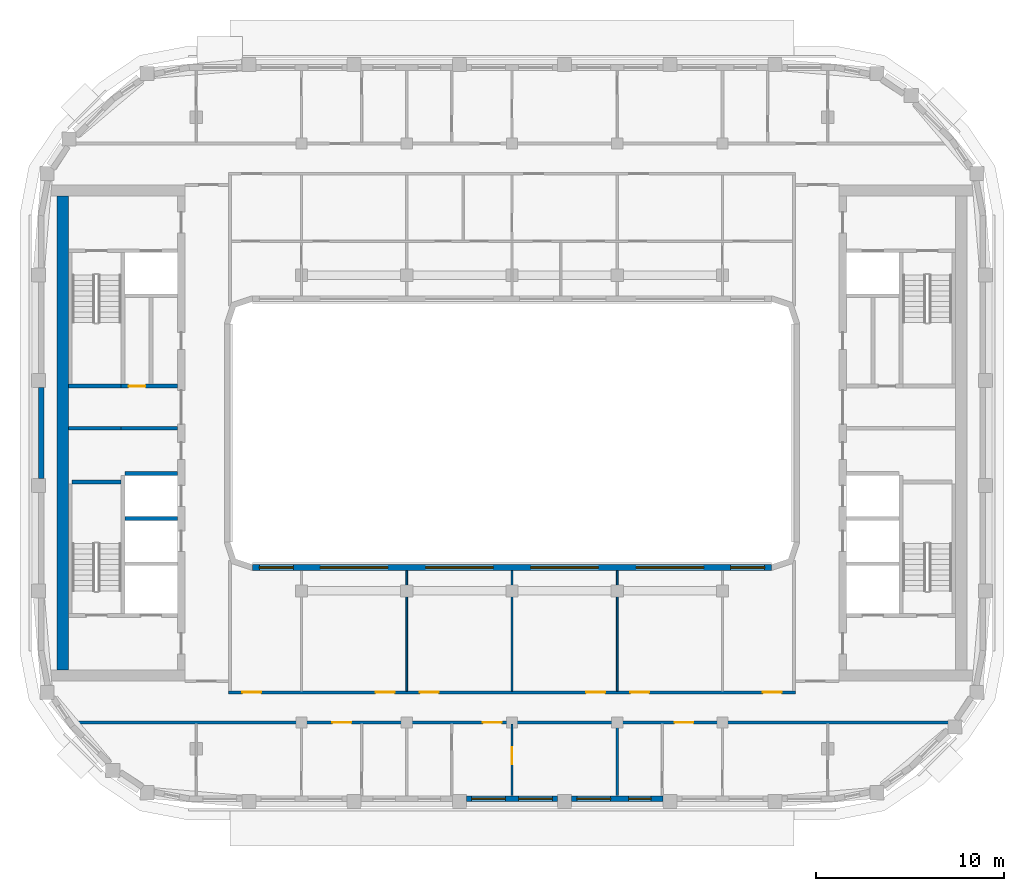
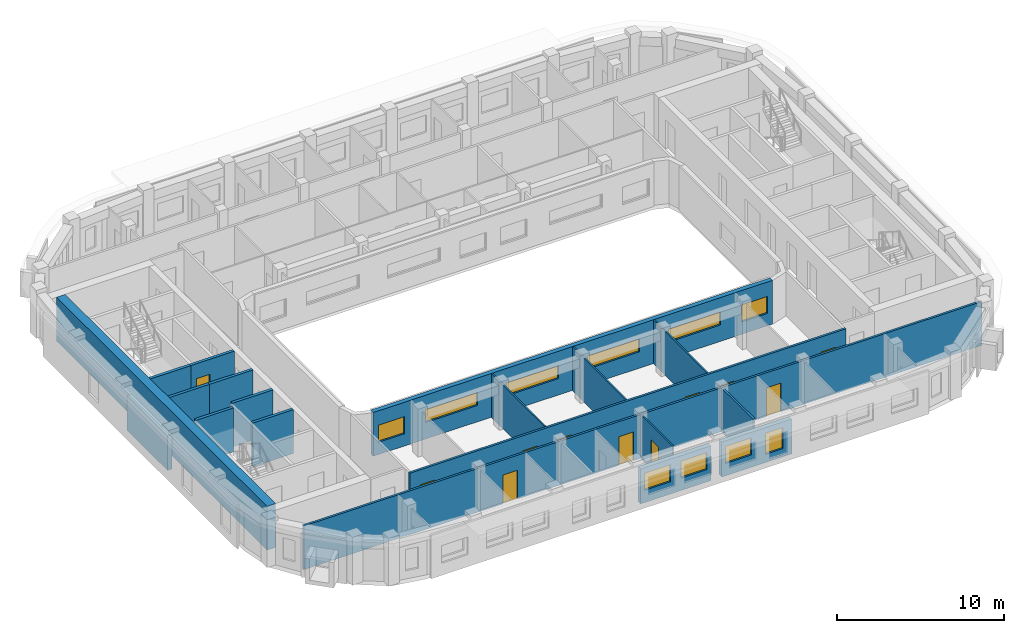
# One storey, part 3 of 16: 19 walls, 11 doors, 10 windows, 21 openings.
"""IFC4 building model written with IfcOpenShell, lengths in metres."""

from ifc_helpers import new_model, si_unit, direction, frame, frame_2d, origin, place, context, subcontext, project, spatial, rectangle, extrude, material, layer, layer_set, type_object, element, fill, save


model = new_model("IFC4")

# Units and contexts
model_context = context("Model", 3, precision=1e-05, world=origin(), true_north=direction((0.0, 1.0)))
body_context = subcontext(model_context, "Body", "Model", "MODEL_VIEW")
ifc_project = project(units=[si_unit("LENGTHUNIT", "METRE"), si_unit("AREAUNIT", "SQUARE_METRE"), si_unit("VOLUMEUNIT", "CUBIC_METRE"), si_unit("PLANEANGLEUNIT", "RADIAN"), si_unit("MASSUNIT", "GRAM", prefix="KILO")], contexts=[model_context])

# Site, building, storey
site_placement = place(None, origin())
site = spatial("IfcSite", under=ifc_project, at=site_placement, CompositionType="ELEMENT")
building_placement = place(site_placement, origin())
building = spatial("IfcBuilding", under=site, at=building_placement, Name="Kiln Ring Residences", CompositionType="ELEMENT")
storey_placement = place(building_placement, frame((0.0, 0.0, 276.699951171875)))
storey = spatial("IfcBuildingStorey", under=building, at=storey_placement, Name="L72", CompositionType="ELEMENT", Elevation=276.699951171875)

# Walls
ifc_material_1 = material(Name="Gypsum board on steel studs", Category="steel")
ifc_layer_1 = layer(ifc_material_1, 0.199951171875)
ifc_layer_set_1 = layer_set([ifc_layer_1], Name="CORE-PARTITION-200")
wall_type_1 = type_object("IfcWallType", Name="CORE-PARTITION-200", PredefinedType="PARTITIONING", material=ifc_layer_set_1)
wall_1_placement = place(storey_placement, frame((-20.800048828125, 0.25, 0.0), z_axis=(0.0, 0.0, 1.0), x_axis=(-1.0, 0.0, 0.0)))
element("IfcWall", 1, at=wall_1_placement, inside=storey, type_object=wall_type_1, Name="Core partition west L72 1", PredefinedType="PARTITIONING", context=body_context, shape_type="SweptSolid", body=[
    extrude(rectangle(XDim=2.800048828125, YDim=0.199951171875, at=frame_2d((1.39990234375, 0.0))), origin(), (0.0, 0.0, 1.0), 3.199951171875),
])
ifc_material_2 = material(Name="Gypsum shaft wall system")
ifc_layer_2 = layer(ifc_material_2, 0.199951171875)
ifc_layer_set_2 = layer_set([ifc_layer_2], Name="CORE-SHAFT-WALL-200")
wall_type_2 = type_object("IfcWallType", Name="CORE-SHAFT-WALL-200", PredefinedType="PARTITIONING", material=ifc_layer_set_2)
for number, where, z_axis, x_axis, name in (
    (2, (-17.800048828125, -4.550048828125, 0.0), (0.0, 0.0, 1.0), (-1.0, 0.0, 0.0), "Core partition west L72 4"),
    (3, (-17.800048828125, -2.14990234375, 0.0), (0.0, 0.0, 1.0), (-1.0, 0.0, 0.0), "Core partition west L72 5"),
):
    element("IfcWall", number, at=place(storey_placement, frame(where, z_axis=z_axis, x_axis=x_axis)), inside=storey, type_object=wall_type_2, Name=name, PredefinedType="PARTITIONING", context=body_context, shape_type="SweptSolid", body=[
        extrude(rectangle(XDim=2.800048828125, YDim=0.199951171875, at=frame_2d((1.39990234375, 0.0))), origin(), (0.0, 0.0, 1.0), 3.199951171875),
    ])
wall_2_placement = place(storey_placement, frame((-17.800048828125, 0.25, 0.0), z_axis=(0.0, 0.0, 1.0), x_axis=(-1.0, 0.0, 0.0)))
element("IfcWall", 4, at=wall_2_placement, inside=storey, type_object=wall_type_2, Name="Core partition west L72 6", PredefinedType="PARTITIONING", context=body_context, shape_type="SweptSolid", body=[
    extrude(rectangle(XDim=3.0, YDim=0.199951171875, at=frame_2d((1.5, 0.0))), origin(), (0.0, 0.0, 1.0), 3.199951171875),
])

# Wall, opening, door
wall_3_placement = place(storey_placement, frame((-17.800048828125, 2.5, 0.0), z_axis=(0.0, 0.0, 1.0), x_axis=(-1.0, 0.0, 0.0)))
wall_3 = element("IfcWall", 5, at=wall_3_placement, inside=storey, type_object=wall_type_2, Name="Core partition west L72 7", PredefinedType="PARTITIONING", context=body_context, shape_type="SweptSolid", body=[
    extrude(rectangle(XDim=3.0, YDim=0.199951171875, at=frame_2d((1.5, 0.0))), origin(), (0.0, 0.0, 1.0), 3.199951171875),
])
opening_1_placement = place(wall_3_placement, frame((1.699951171875, 0.0, 0.0)))
opening_1 = element("IfcOpeningElement", 6, at=opening_1_placement, cuts=wall_3, Name="Opening L72-CW06", PredefinedType="OPENING", context=body_context, shape_type="SweptSolid", body=[
    extrude(rectangle(XDim=0.89990234375, YDim=2.10009765625, at=frame_2d((0.449951171875, 1.050048828125))), frame((0.0, 0.10986328125, 0.0), z_axis=(0.0, -1.0, 0.0), x_axis=(1.0, 0.0, 0.0)), (0.0, 0.0, 1.0), 0.219970703125),
])
ifc_material_3 = material(Name="Steel door leaf", Category="steel")
door_type_1 = type_object("IfcDoorType", Name="CORE-DOOR-ROOM", OperationType="SINGLE_SWING_LEFT", PredefinedType="DOOR", material=ifc_material_3)
door_1_placement = place(opening_1_placement, origin())
door_1 = element("IfcDoor", 7, at=door_1_placement, inside=storey, type_object=door_type_1, Name="Linen store L72-CW06", OperationType="SINGLE_SWING_LEFT", OverallHeight=2.10009765625, OverallWidth=0.89990234375, PredefinedType="DOOR", context=body_context, shape_type="SweptSolid", body=[
    extrude(rectangle(XDim=0.89990234375, YDim=2.10009765625, at=frame_2d((0.449951171875, 1.050048828125))), frame((0.0, 0.02490234375, 0.0), z_axis=(0.0, -1.0, 0.0), x_axis=(1.0, 0.0, 0.0)), (0.0, 0.0, 1.0), 0.050048828125),
])
fill(opening_1, door_1)

# Walls
ifc_material_4 = material(Name="Concrete C40/50", Category="concrete")
ifc_layer_3 = layer(ifc_material_4, 0.199951171875)
ifc_layer_set_3 = layer_set([ifc_layer_3], Name="CORE-WALL-RC200")
wall_type_3 = type_object("IfcWallType", Name="CORE-WALL-RC200", PredefinedType="SHEAR", material=ifc_layer_set_3)
wall_4_placement = place(storey_placement, frame((-20.800048828125, 2.5, 0.0), z_axis=(0.0, 0.0, 1.0), x_axis=(-1.0, 0.0, 0.0)))
element("IfcWall", 8, at=wall_4_placement, inside=storey, type_object=wall_type_3, Name="Core wall west L72 3", PredefinedType="SHEAR", context=body_context, shape_type="SweptSolid", body=[
    extrude(rectangle(XDim=2.800048828125, YDim=0.199951171875, at=frame_2d((1.39990234375, 0.0))), origin(), (0.0, 0.0, 1.0), 3.199951171875),
])
wall_5_placement = place(storey_placement, frame((-20.800048828125, -2.60009765625, 0.0), z_axis=(0.0, 0.0, 1.0), x_axis=(-1.0, 0.0, 0.0)))
element("IfcWall", 9, at=wall_5_placement, inside=storey, type_object=wall_type_3, Name="Core wall west L72 12", PredefinedType="SHEAR", context=body_context, shape_type="SweptSolid", body=[
    extrude(rectangle(XDim=2.599853515625, YDim=0.199951171875, at=frame_2d((1.2998046875, 0.0))), origin(), (0.0, 0.0, 1.0), 3.199951171875),
])
ifc_material_5 = material(Name="Concrete C60/75", Category="concrete")
ifc_layer_4 = layer(ifc_material_5, 0.60009765625)
ifc_layer_set_4 = layer_set([ifc_layer_4], Name="CORE-WALL-RC600")
wall_type_4 = type_object("IfcWallType", Name="CORE-WALL-RC600", PredefinedType="SHEAR", material=ifc_layer_set_4)
wall_6_placement = place(storey_placement, frame((-23.89990234375, -12.60009765625, 0.0), z_axis=(0.0, 0.0, 1.0), x_axis=(0.0, 1.0, 0.0)))
element("IfcWall", 10, at=wall_6_placement, inside=storey, type_object=wall_type_4, Name="Core wall west L72 7", PredefinedType="SHEAR", context=body_context, shape_type="SweptSolid", body=[
    extrude(rectangle(XDim=25.2001953125, YDim=0.60009765625, at=frame_2d((12.60009765625, 0.0))), origin(), (0.0, 0.0, 1.0), 3.199951171875),
])

# Wall, openings, windows
ifc_material_6 = material(Name="Brick masonry, dark clay brick", Category="masonry")
ifc_layer_5 = layer(ifc_material_6, 0.300048828125)
ifc_layer_set_5 = layer_set([ifc_layer_5], Name="EW-300 BRICK WALL")
wall_type_5 = type_object("IfcWallType", Name="EW-300 BRICK WALL", PredefinedType="SOLIDWALL", material=ifc_layer_set_5)
wall_7_placement = place(storey_placement, frame((-2.425048828125, -19.449951171875, 0.0), z_axis=(0.0, 0.0, 1.0), x_axis=(1.0, 0.0, 0.0)))
wall_7 = element("IfcWall", 11, at=wall_7_placement, inside=storey, type_object=wall_type_5, Name="Facade wall L72 7", PredefinedType="SOLIDWALL", context=body_context, shape_type="SweptSolid", body=[
    extrude(rectangle(XDim=4.85009765625, YDim=0.300048828125, at=frame_2d((2.425048828125, 0.0))), origin(), (0.0, 0.0, 1.0), 2.550048828125),
])
opening_2_placement = place(wall_7_placement, frame((0.27490234375, 0.0, 0.89990234375)))
opening_2 = element("IfcOpeningElement", 12, at=opening_2_placement, cuts=wall_7, Name="Opening W2", PredefinedType="OPENING", context=body_context, shape_type="SweptSolid", body=[
    extrude(rectangle(XDim=1.800048828125, YDim=1.25, at=frame_2d((0.89990234375, 0.625))), frame((0.0, 0.159912109375, 0.0), z_axis=(0.0, -1.0, 0.0), x_axis=(1.0, 0.0, 0.0)), (0.0, 0.0, 1.0), 0.320068359375),
])
opening_3_placement = place(wall_7_placement, frame((2.77490234375, 0.0, 0.89990234375)))
opening_3 = element("IfcOpeningElement", 13, at=opening_3_placement, cuts=wall_7, Name="Opening W2", PredefinedType="OPENING", context=body_context, shape_type="SweptSolid", body=[
    extrude(rectangle(XDim=1.800048828125, YDim=1.25, at=frame_2d((0.89990234375, 0.625))), frame((0.0, 0.159912109375, 0.0), z_axis=(0.0, -1.0, 0.0), x_axis=(1.0, 0.0, 0.0)), (0.0, 0.0, 1.0), 0.320068359375),
])
ifc_material_7 = material(Name="Aluminium frame with double glazing", Category="aluminium")
window_type_1 = type_object("IfcWindowType", Name="WINDOW 1800 x 1250", PartitioningType="SINGLE_PANEL", PredefinedType="WINDOW", material=ifc_material_7)
window_1_placement = place(opening_2_placement, origin())
window_1 = element("IfcWindow", 14, at=window_1_placement, inside=storey, type_object=window_type_1, Name="Window L72 8", OverallHeight=1.25, OverallWidth=1.800048828125, PartitioningType="SINGLE_PANEL", PredefinedType="WINDOW", context=body_context, shape_type="SweptSolid", body=[
    extrude(rectangle(XDim=1.800048828125, YDim=1.25, at=frame_2d((0.89990234375, 0.625))), frame((0.0, 0.030029296875, 0.0), z_axis=(0.0, -1.0, 0.0), x_axis=(1.0, 0.0, 0.0)), (0.0, 0.0, 1.0), 0.06005859375),
])
fill(opening_2, window_1)
window_2_placement = place(opening_3_placement, origin())
window_2 = element("IfcWindow", 15, at=window_2_placement, inside=storey, type_object=window_type_1, Name="Window L72 9", OverallHeight=1.25, OverallWidth=1.800048828125, PartitioningType="SINGLE_PANEL", PredefinedType="WINDOW", context=body_context, shape_type="SweptSolid", body=[
    extrude(rectangle(XDim=1.800048828125, YDim=1.25, at=frame_2d((0.89990234375, 0.625))), frame((0.0, 0.030029296875, 0.0), z_axis=(0.0, -1.0, 0.0), x_axis=(1.0, 0.0, 0.0)), (0.0, 0.0, 1.0), 0.06005859375),
])
fill(opening_3, window_2)

wall_8_placement = place(storey_placement, frame((3.175048828125, -19.449951171875, 0.0), z_axis=(0.0, 0.0, 1.0), x_axis=(1.0, 0.0, 0.0)))
wall_8 = element("IfcWall", 16, at=wall_8_placement, inside=storey, type_object=wall_type_5, Name="Facade wall L72 8", PredefinedType="SOLIDWALL", context=body_context, shape_type="SweptSolid", body=[
    extrude(rectangle(XDim=4.849853515625, YDim=0.300048828125, at=frame_2d((2.4248046875, 0.0))), origin(), (0.0, 0.0, 1.0), 2.550048828125),
])
opening_4_placement = place(wall_8_placement, frame((0.27490234375, 0.0, 0.89990234375)))
opening_4 = element("IfcOpeningElement", 17, at=opening_4_placement, cuts=wall_8, Name="Opening W2", PredefinedType="OPENING", context=body_context, shape_type="SweptSolid", body=[
    extrude(rectangle(XDim=1.800048828125, YDim=1.25, at=frame_2d((0.89990234375, 0.625))), frame((0.0, 0.159912109375, 0.0), z_axis=(0.0, -1.0, 0.0), x_axis=(1.0, 0.0, 0.0)), (0.0, 0.0, 1.0), 0.320068359375),
])
opening_5_placement = place(wall_8_placement, frame((3.02490234375, 0.0, 0.60009765625)))
opening_5 = element("IfcOpeningElement", 18, at=opening_5_placement, cuts=wall_8, Name="Opening W1", PredefinedType="OPENING", context=body_context, shape_type="SweptSolid", body=[
    extrude(rectangle(XDim=1.199951171875, YDim=1.550048828125, at=frame_2d((0.60009765625, 0.77490234375))), frame((0.0, 0.159912109375, 0.0), z_axis=(0.0, -1.0, 0.0), x_axis=(1.0, 0.0, 0.0)), (0.0, 0.0, 1.0), 0.320068359375),
])
ifc_material_8 = material(Name="Aluminium frame with double glazing", Category="aluminium")
window_type_2 = type_object("IfcWindowType", Name="WINDOW 1200 x 1550", PartitioningType="SINGLE_PANEL", PredefinedType="WINDOW", material=ifc_material_8)
window_3_placement = place(opening_5_placement, origin())
window_3 = element("IfcWindow", 19, at=window_3_placement, inside=storey, type_object=window_type_2, Name="Window L72 11", OverallHeight=1.550048828125, OverallWidth=1.199951171875, PartitioningType="SINGLE_PANEL", PredefinedType="WINDOW", context=body_context, shape_type="SweptSolid", body=[
    extrude(rectangle(XDim=1.199951171875, YDim=1.550048828125, at=frame_2d((0.60009765625, 0.77490234375))), frame((0.0, 0.030029296875, 0.0), z_axis=(0.0, -1.0, 0.0), x_axis=(1.0, 0.0, 0.0)), (0.0, 0.0, 1.0), 0.06005859375),
])
fill(opening_5, window_3)
window_4_placement = place(opening_4_placement, origin())
window_4 = element("IfcWindow", 20, at=window_4_placement, inside=storey, type_object=window_type_1, Name="Window L72 10", OverallHeight=1.25, OverallWidth=1.800048828125, PartitioningType="SINGLE_PANEL", PredefinedType="WINDOW", context=body_context, shape_type="SweptSolid", body=[
    extrude(rectangle(XDim=1.800048828125, YDim=1.25, at=frame_2d((0.89990234375, 0.625))), frame((0.0, 0.030029296875, 0.0), z_axis=(0.0, -1.0, 0.0), x_axis=(1.0, 0.0, 0.0)), (0.0, 0.0, 1.0), 0.06005859375),
])
fill(opening_4, window_4)

# Wall
wall_9_placement = place(storey_placement, frame((-25.050048828125, 2.425048828125, 0.0), z_axis=(0.0, 0.0, 1.0), x_axis=(0.0, -1.0, 0.0)))
element("IfcWall", 21, at=wall_9_placement, inside=storey, type_object=wall_type_5, Name="Facade wall L72 40", PredefinedType="SOLIDWALL", context=body_context, shape_type="SweptSolid", body=[
    extrude(rectangle(XDim=4.85009765625, YDim=0.300048828125, at=frame_2d((2.425048828125, 0.0))), origin(), (0.0, 0.0, 1.0), 2.550048828125),
])

# Wall, openings, windows
wall_10_placement = place(storey_placement, frame((13.800048828125, -7.14990234375, 0.0), z_axis=(0.0, 0.0, 1.0), x_axis=(-1.0, 0.0, 0.0)))
wall_10 = element("IfcWall", 22, at=wall_10_placement, inside=storey, type_object=wall_type_5, Name="Facade wall L72 48", PredefinedType="SOLIDWALL", context=body_context, shape_type="SweptSolid", body=[
    extrude(rectangle(XDim=27.60009765625, YDim=0.300048828125, at=frame_2d((13.800048828125, 0.0))), origin(), (0.0, 0.0, 1.0), 3.199951171875),
])
opening_6_placement = place(wall_10_placement, frame((0.362548828125, 0.0, 0.89990234375)))
opening_6 = element("IfcOpeningElement", 23, at=opening_6_placement, cuts=wall_10, Name="Opening W2", PredefinedType="OPENING", context=body_context, shape_type="SweptSolid", body=[
    extrude(rectangle(XDim=1.800048828125, YDim=1.25, at=frame_2d((0.89990234375, 0.625))), frame((0.0, 0.159912109375, 0.0), z_axis=(0.0, -1.0, 0.0), x_axis=(1.0, 0.0, 0.0)), (0.0, 0.0, 1.0), 0.320068359375),
])
opening_7_placement = place(wall_10_placement, frame((3.60009765625, 0.0, 1.199951171875)))
opening_7 = element("IfcOpeningElement", 24, at=opening_7_placement, cuts=wall_10, Name="Opening W4", PredefinedType="OPENING", context=body_context, shape_type="SweptSolid", body=[
    extrude(rectangle(XDim=3.60009765625, YDim=0.949951171875, at=frame_2d((1.800048828125, 0.47509765625))), frame((0.0, 0.159912109375, 0.0), z_axis=(0.0, -1.0, 0.0), x_axis=(1.0, 0.0, 0.0)), (0.0, 0.0, 1.0), 0.320068359375),
])
opening_8_placement = place(wall_10_placement, frame((9.199951171875, 0.0, 1.199951171875)))
opening_8 = element("IfcOpeningElement", 25, at=opening_8_placement, cuts=wall_10, Name="Opening W4", PredefinedType="OPENING", context=body_context, shape_type="SweptSolid", body=[
    extrude(rectangle(XDim=3.60009765625, YDim=0.949951171875, at=frame_2d((1.800048828125, 0.47509765625))), frame((0.0, 0.159912109375, 0.0), z_axis=(0.0, -1.0, 0.0), x_axis=(1.0, 0.0, 0.0)), (0.0, 0.0, 1.0), 0.320068359375),
])
opening_9_placement = place(wall_10_placement, frame((14.800048828125, 0.0, 1.199951171875)))
opening_9 = element("IfcOpeningElement", 26, at=opening_9_placement, cuts=wall_10, Name="Opening W4", PredefinedType="OPENING", context=body_context, shape_type="SweptSolid", body=[
    extrude(rectangle(XDim=3.60009765625, YDim=0.949951171875, at=frame_2d((1.800048828125, 0.47509765625))), frame((0.0, 0.159912109375, 0.0), z_axis=(0.0, -1.0, 0.0), x_axis=(1.0, 0.0, 0.0)), (0.0, 0.0, 1.0), 0.320068359375),
])
opening_10_placement = place(wall_10_placement, frame((20.39990234375, 0.0, 1.199951171875)))
opening_10 = element("IfcOpeningElement", 27, at=opening_10_placement, cuts=wall_10, Name="Opening W4", PredefinedType="OPENING", context=body_context, shape_type="SweptSolid", body=[
    extrude(rectangle(XDim=3.60009765625, YDim=0.949951171875, at=frame_2d((1.800048828125, 0.47509765625))), frame((0.0, 0.159912109375, 0.0), z_axis=(0.0, -1.0, 0.0), x_axis=(1.0, 0.0, 0.0)), (0.0, 0.0, 1.0), 0.320068359375),
])
opening_11_placement = place(wall_10_placement, frame((25.4375, 0.0, 0.89990234375)))
opening_11 = element("IfcOpeningElement", 28, at=opening_11_placement, cuts=wall_10, Name="Opening W2", PredefinedType="OPENING", context=body_context, shape_type="SweptSolid", body=[
    extrude(rectangle(XDim=1.800048828125, YDim=1.25, at=frame_2d((0.89990234375, 0.625))), frame((0.0, 0.159912109375, 0.0), z_axis=(0.0, -1.0, 0.0), x_axis=(1.0, 0.0, 0.0)), (0.0, 0.0, 1.0), 0.320068359375),
])
window_5_placement = place(opening_6_placement, origin())
window_5 = element("IfcWindow", 29, at=window_5_placement, inside=storey, type_object=window_type_1, Name="Window L72 44", OverallHeight=1.25, OverallWidth=1.800048828125, PartitioningType="SINGLE_PANEL", PredefinedType="WINDOW", context=body_context, shape_type="SweptSolid", body=[
    extrude(rectangle(XDim=1.800048828125, YDim=1.25, at=frame_2d((0.89990234375, 0.625))), frame((0.0, 0.030029296875, 0.0), z_axis=(0.0, -1.0, 0.0), x_axis=(1.0, 0.0, 0.0)), (0.0, 0.0, 1.0), 0.06005859375),
])
fill(opening_6, window_5)
window_6_placement = place(opening_11_placement, origin())
window_6 = element("IfcWindow", 30, at=window_6_placement, inside=storey, type_object=window_type_1, Name="Window L72 49", OverallHeight=1.25, OverallWidth=1.800048828125, PartitioningType="SINGLE_PANEL", PredefinedType="WINDOW", context=body_context, shape_type="SweptSolid", body=[
    extrude(rectangle(XDim=1.800048828125, YDim=1.25, at=frame_2d((0.89990234375, 0.625))), frame((0.0, 0.030029296875, 0.0), z_axis=(0.0, -1.0, 0.0), x_axis=(1.0, 0.0, 0.0)), (0.0, 0.0, 1.0), 0.06005859375),
])
fill(opening_11, window_6)
ifc_material_9 = material(Name="Aluminium frame with double glazing", Category="aluminium")
window_type_3 = type_object("IfcWindowType", Name="WINDOW 3600 x 950", PartitioningType="SINGLE_PANEL", PredefinedType="WINDOW", material=ifc_material_9)
window_7_placement = place(opening_7_placement, origin())
window_7 = element("IfcWindow", 31, at=window_7_placement, inside=storey, type_object=window_type_3, Name="Window L72 45", OverallHeight=0.949951171875, OverallWidth=3.60009765625, PartitioningType="SINGLE_PANEL", PredefinedType="WINDOW", context=body_context, shape_type="SweptSolid", body=[
    extrude(rectangle(XDim=3.60009765625, YDim=0.949951171875, at=frame_2d((1.800048828125, 0.47509765625))), frame((0.0, 0.030029296875, 0.0), z_axis=(0.0, -1.0, 0.0), x_axis=(1.0, 0.0, 0.0)), (0.0, 0.0, 1.0), 0.06005859375),
])
fill(opening_7, window_7)
window_8_placement = place(opening_8_placement, origin())
window_8 = element("IfcWindow", 32, at=window_8_placement, inside=storey, type_object=window_type_3, Name="Window L72 46", OverallHeight=0.949951171875, OverallWidth=3.60009765625, PartitioningType="SINGLE_PANEL", PredefinedType="WINDOW", context=body_context, shape_type="SweptSolid", body=[
    extrude(rectangle(XDim=3.60009765625, YDim=0.949951171875, at=frame_2d((1.800048828125, 0.47509765625))), frame((0.0, 0.030029296875, 0.0), z_axis=(0.0, -1.0, 0.0), x_axis=(1.0, 0.0, 0.0)), (0.0, 0.0, 1.0), 0.06005859375),
])
fill(opening_8, window_8)
window_9_placement = place(opening_9_placement, origin())
window_9 = element("IfcWindow", 33, at=window_9_placement, inside=storey, type_object=window_type_3, Name="Window L72 47", OverallHeight=0.949951171875, OverallWidth=3.60009765625, PartitioningType="SINGLE_PANEL", PredefinedType="WINDOW", context=body_context, shape_type="SweptSolid", body=[
    extrude(rectangle(XDim=3.60009765625, YDim=0.949951171875, at=frame_2d((1.800048828125, 0.47509765625))), frame((0.0, 0.030029296875, 0.0), z_axis=(0.0, -1.0, 0.0), x_axis=(1.0, 0.0, 0.0)), (0.0, 0.0, 1.0), 0.06005859375),
])
fill(opening_9, window_9)
window_10_placement = place(opening_10_placement, origin())
window_10 = element("IfcWindow", 34, at=window_10_placement, inside=storey, type_object=window_type_3, Name="Window L72 48", OverallHeight=0.949951171875, OverallWidth=3.60009765625, PartitioningType="SINGLE_PANEL", PredefinedType="WINDOW", context=body_context, shape_type="SweptSolid", body=[
    extrude(rectangle(XDim=3.60009765625, YDim=0.949951171875, at=frame_2d((1.800048828125, 0.47509765625))), frame((0.0, 0.030029296875, 0.0), z_axis=(0.0, -1.0, 0.0), x_axis=(1.0, 0.0, 0.0)), (0.0, 0.0, 1.0), 0.06005859375),
])
fill(opening_10, window_10)

# Wall
ifc_material_10 = material(Name="Gypsum board on steel studs", Category="steel")
ifc_layer_6 = layer(ifc_material_10, 0.10009765625)
ifc_layer_set_6 = layer_set([ifc_layer_6], Name="PARTITION-100")
wall_type_6 = type_object("IfcWallType", Name="PARTITION-100", PredefinedType="PARTITIONING", material=ifc_layer_set_6)
wall_11_placement = place(storey_placement, frame((-5.60009765625, -13.72509765625, 0.0), z_axis=(0.0, 0.0, 1.0), x_axis=(0.0, 1.0, 0.0)))
element("IfcWall", 35, at=wall_11_placement, inside=storey, type_object=wall_type_6, Name="Partition 020", PredefinedType="PARTITIONING", context=body_context, shape_type="SweptSolid", body=[
    extrude(rectangle(XDim=6.405029296875, YDim=0.10009765625, at=frame_2d((3.20263671875, 0.0))), origin(), (0.0, 0.0, 1.0), 3.199951171875),
])

# Wall, opening, door
wall_12_placement = place(storey_placement, frame((0.0, -19.280029296875, 0.0), z_axis=(0.0, 0.0, 1.0), x_axis=(0.0, 1.0, 0.0)))
wall_12 = element("IfcWall", 36, at=wall_12_placement, inside=storey, type_object=wall_type_6, Name="Partition 028", PredefinedType="PARTITIONING", context=body_context, shape_type="SweptSolid", body=[
    extrude(rectangle(XDim=3.804931640625, YDim=0.10009765625, at=frame_2d((1.90234375, 0.0))), origin(), (0.0, 0.0, 1.0), 3.199951171875),
])
opening_12_placement = place(wall_12_placement, frame((1.669921875, 0.0, 0.0)))
opening_12 = element("IfcOpeningElement", 37, at=opening_12_placement, cuts=wall_12, Name="Opening L72-D042", PredefinedType="OPENING", context=body_context, shape_type="SweptSolid", body=[
    extrude(rectangle(XDim=0.89990234375, YDim=2.10009765625, at=frame_2d((0.449951171875, 1.050048828125))), frame((0.0, 0.06005859375, 0.0), z_axis=(0.0, -1.0, 0.0), x_axis=(1.0, 0.0, 0.0)), (0.0, 0.0, 1.0), 0.1201171875),
])
ifc_material_11 = material(Name="Timber door leaf", Category="wood")
door_type_2 = type_object("IfcDoorType", Name="FLAT-DOOR-900-PL", OperationType="SINGLE_SWING_LEFT", PredefinedType="DOOR", material=ifc_material_11)
door_2_placement = place(opening_12_placement, origin())
door_2 = element("IfcDoor", 38, at=door_2_placement, inside=storey, type_object=door_type_2, Name="Door L72-D042", OperationType="SINGLE_SWING_RIGHT", OverallHeight=2.10009765625, OverallWidth=0.89990234375, PredefinedType="DOOR", context=body_context, shape_type="SweptSolid", body=[
    extrude(rectangle(XDim=0.89990234375, YDim=2.10009765625, at=frame_2d((0.449951171875, 1.050048828125))), frame((0.0, 0.02490234375, 0.0), z_axis=(0.0, -1.0, 0.0), x_axis=(1.0, 0.0, 0.0)), (0.0, 0.0, 1.0), 0.050048828125),
])
fill(opening_12, door_2)

# Walls
for number, where, z_axis, x_axis, name in (
    (39, (0.0, -13.72509765625, 0.0), (0.0, 0.0, 1.0), (0.0, 1.0, 0.0), "Partition 029"),
    (40, (5.60009765625, -13.72509765625, 0.0), (0.0, 0.0, 1.0), (0.0, 1.0, 0.0), "Partition 034"),
):
    element("IfcWall", number, at=place(storey_placement, frame(where, z_axis=z_axis, x_axis=x_axis)), inside=storey, type_object=wall_type_6, Name=name, PredefinedType="PARTITIONING", context=body_context, shape_type="SweptSolid", body=[
        extrude(rectangle(XDim=6.405029296875, YDim=0.10009765625, at=frame_2d((3.20263671875, 0.0))), origin(), (0.0, 0.0, 1.0), 3.199951171875),
    ])

# Wall, openings, doors
ifc_material_12 = material(Name="Brick masonry partition", Category="masonry")
ifc_layer_7 = layer(ifc_material_12, 0.14990234375)
ifc_layer_set_7 = layer_set([ifc_layer_7], Name="PARTITION-150-ei60")
wall_type_7 = type_object("IfcWallType", Name="PARTITION-150-ei60", PredefinedType="PARTITIONING", material=ifc_layer_set_7)
wall_13_placement = place(storey_placement, frame((-23.322021484375, -15.39990234375, 0.0), z_axis=(0.0, 0.0, 1.0), x_axis=(1.0, 0.0, 0.0)))
wall_13 = element("IfcWall", 41, at=wall_13_placement, inside=storey, type_object=wall_type_7, Name="Partition 000", PredefinedType="PARTITIONING", context=body_context, shape_type="SweptSolid", body=[
    extrude(rectangle(XDim=46.8720703125, YDim=0.14990234375, at=frame_2d((23.43603515625, 0.0))), origin(), (0.0, 0.0, 1.0), 3.199951171875),
])
opening_13_placement = place(wall_13_placement, frame((13.772216796875, 0.0, 0.0)))
opening_13 = element("IfcOpeningElement", 42, at=opening_13_placement, cuts=wall_13, Name="Opening L72-D036", PredefinedType="OPENING", context=body_context, shape_type="SweptSolid", body=[
    extrude(rectangle(XDim=1.0, YDim=2.10009765625, at=frame_2d((0.5, 1.050048828125))), frame((0.0, 0.0849609375, 0.0), z_axis=(0.0, -1.0, 0.0), x_axis=(1.0, 0.0, 0.0)), (0.0, 0.0, 1.0), 0.169921875),
])
opening_14_placement = place(wall_13_placement, frame((21.772216796875, 0.0, 0.0)))
opening_14 = element("IfcOpeningElement", 43, at=opening_14_placement, cuts=wall_13, Name="Opening L72-D040", PredefinedType="OPENING", context=body_context, shape_type="SweptSolid", body=[
    extrude(rectangle(XDim=1.0, YDim=2.10009765625, at=frame_2d((0.5, 1.050048828125))), frame((0.0, 0.0849609375, 0.0), z_axis=(0.0, -1.0, 0.0), x_axis=(1.0, 0.0, 0.0)), (0.0, 0.0, 1.0), 0.169921875),
])
opening_15_placement = place(wall_13_placement, frame((31.97216796875, 0.0, 0.0)))
opening_15 = element("IfcOpeningElement", 44, at=opening_15_placement, cuts=wall_13, Name="Opening L72-D043", PredefinedType="OPENING", context=body_context, shape_type="SweptSolid", body=[
    extrude(rectangle(XDim=1.0, YDim=2.10009765625, at=frame_2d((0.5, 1.050048828125))), frame((0.0, 0.0849609375, 0.0), z_axis=(0.0, -1.0, 0.0), x_axis=(1.0, 0.0, 0.0)), (0.0, 0.0, 1.0), 0.169921875),
])
ifc_material_13 = material(Name="Steel faced fire door leaf", Category="steel")
door_type_3 = type_object("IfcDoorType", Name="FLAT-DOOR-1000-FR", OperationType="SINGLE_SWING_LEFT", PredefinedType="DOOR", material=ifc_material_13)
door_3_placement = place(opening_13_placement, origin())
door_3 = element("IfcDoor", 45, at=door_3_placement, inside=storey, type_object=door_type_3, Name="Door L72-D036", OperationType="SINGLE_SWING_RIGHT", OverallHeight=2.10009765625, OverallWidth=1.0, PredefinedType="DOOR", context=body_context, shape_type="SweptSolid", body=[
    extrude(rectangle(XDim=1.0, YDim=2.10009765625, at=frame_2d((0.5, 1.050048828125))), frame((0.0, 0.02490234375, 0.0), z_axis=(0.0, -1.0, 0.0), x_axis=(1.0, 0.0, 0.0)), (0.0, 0.0, 1.0), 0.050048828125),
])
fill(opening_13, door_3)
door_4_placement = place(opening_14_placement, origin())
door_4 = element("IfcDoor", 46, at=door_4_placement, inside=storey, type_object=door_type_3, Name="Door L72-D040", OperationType="SINGLE_SWING_RIGHT", OverallHeight=2.10009765625, OverallWidth=1.0, PredefinedType="DOOR", context=body_context, shape_type="SweptSolid", body=[
    extrude(rectangle(XDim=1.0, YDim=2.10009765625, at=frame_2d((0.5, 1.050048828125))), frame((0.0, 0.02490234375, 0.0), z_axis=(0.0, -1.0, 0.0), x_axis=(1.0, 0.0, 0.0)), (0.0, 0.0, 1.0), 0.050048828125),
])
fill(opening_14, door_4)
door_5_placement = place(opening_15_placement, origin())
door_5 = element("IfcDoor", 47, at=door_5_placement, inside=storey, type_object=door_type_3, Name="Door L72-D043", OperationType="SINGLE_SWING_LEFT", OverallHeight=2.10009765625, OverallWidth=1.0, PredefinedType="DOOR", context=body_context, shape_type="SweptSolid", body=[
    extrude(rectangle(XDim=1.0, YDim=2.10009765625, at=frame_2d((0.5, 1.050048828125))), frame((0.0, 0.02490234375, 0.0), z_axis=(0.0, -1.0, 0.0), x_axis=(1.0, 0.0, 0.0)), (0.0, 0.0, 1.0), 0.050048828125),
])
fill(opening_15, door_5)

wall_14_placement = place(storey_placement, frame((-15.074951171875, -13.800048828125, 0.0), z_axis=(0.0, 0.0, 1.0), x_axis=(1.0, 0.0, 0.0)))
wall_14 = element("IfcWall", 48, at=wall_14_placement, inside=storey, type_object=wall_type_7, Name="Partition 001", PredefinedType="PARTITIONING", context=body_context, shape_type="SweptSolid", body=[
    extrude(rectangle(XDim=30.14990234375, YDim=0.14990234375, at=frame_2d((15.074951171875, 0.0))), origin(), (0.0, 0.0, 1.0), 3.199951171875),
])
opening_16_placement = place(wall_14_placement, frame((0.72509765625, 0.0, 0.0)))
opening_16 = element("IfcOpeningElement", 49, at=opening_16_placement, cuts=wall_14, Name="Opening L72-D030", PredefinedType="OPENING", context=body_context, shape_type="SweptSolid", body=[
    extrude(rectangle(XDim=1.0, YDim=2.10009765625, at=frame_2d((0.5, 1.050048828125))), frame((0.0, 0.0849609375, 0.0), z_axis=(0.0, -1.0, 0.0), x_axis=(1.0, 0.0, 0.0)), (0.0, 0.0, 1.0), 0.169921875),
])
opening_17_placement = place(wall_14_placement, frame((7.824951171875, 0.0, 0.0)))
opening_17 = element("IfcOpeningElement", 50, at=opening_17_placement, cuts=wall_14, Name="Opening L72-D031", PredefinedType="OPENING", context=body_context, shape_type="SweptSolid", body=[
    extrude(rectangle(XDim=1.0, YDim=2.10009765625, at=frame_2d((0.5, 1.050048828125))), frame((0.0, 0.0849609375, 0.0), z_axis=(0.0, -1.0, 0.0), x_axis=(1.0, 0.0, 0.0)), (0.0, 0.0, 1.0), 0.169921875),
])
opening_18_placement = place(wall_14_placement, frame((10.175048828125, 0.0, 0.0)))
opening_18 = element("IfcOpeningElement", 51, at=opening_18_placement, cuts=wall_14, Name="Opening L72-D032", PredefinedType="OPENING", context=body_context, shape_type="SweptSolid", body=[
    extrude(rectangle(XDim=1.0, YDim=2.10009765625, at=frame_2d((0.5, 1.050048828125))), frame((0.0, 0.0849609375, 0.0), z_axis=(0.0, -1.0, 0.0), x_axis=(1.0, 0.0, 0.0)), (0.0, 0.0, 1.0), 0.169921875),
])
opening_19_placement = place(wall_14_placement, frame((19.02490234375, 0.0, 0.0)))
opening_19 = element("IfcOpeningElement", 52, at=opening_19_placement, cuts=wall_14, Name="Opening L72-D033", PredefinedType="OPENING", context=body_context, shape_type="SweptSolid", body=[
    extrude(rectangle(XDim=1.0, YDim=2.10009765625, at=frame_2d((0.5, 1.050048828125))), frame((0.0, 0.0849609375, 0.0), z_axis=(0.0, -1.0, 0.0), x_axis=(1.0, 0.0, 0.0)), (0.0, 0.0, 1.0), 0.169921875),
])
opening_20_placement = place(wall_14_placement, frame((21.375, 0.0, 0.0)))
opening_20 = element("IfcOpeningElement", 53, at=opening_20_placement, cuts=wall_14, Name="Opening L72-D034", PredefinedType="OPENING", context=body_context, shape_type="SweptSolid", body=[
    extrude(rectangle(XDim=1.0, YDim=2.10009765625, at=frame_2d((0.5, 1.050048828125))), frame((0.0, 0.0849609375, 0.0), z_axis=(0.0, -1.0, 0.0), x_axis=(1.0, 0.0, 0.0)), (0.0, 0.0, 1.0), 0.169921875),
])
opening_21_placement = place(wall_14_placement, frame((28.424072265625, 0.0, 0.0)))
opening_21 = element("IfcOpeningElement", 54, at=opening_21_placement, cuts=wall_14, Name="Opening L72-D035", PredefinedType="OPENING", context=body_context, shape_type="SweptSolid", body=[
    extrude(rectangle(XDim=1.0, YDim=2.10009765625, at=frame_2d((0.5, 1.050048828125))), frame((0.0, 0.0849609375, 0.0), z_axis=(0.0, -1.0, 0.0), x_axis=(1.0, 0.0, 0.0)), (0.0, 0.0, 1.0), 0.169921875),
])
door_6_placement = place(opening_16_placement, origin())
door_6 = element("IfcDoor", 55, at=door_6_placement, inside=storey, type_object=door_type_3, Name="Door L72-D030", OperationType="SINGLE_SWING_RIGHT", OverallHeight=2.10009765625, OverallWidth=1.0, PredefinedType="DOOR", context=body_context, shape_type="SweptSolid", body=[
    extrude(rectangle(XDim=1.0, YDim=2.10009765625, at=frame_2d((0.5, 1.050048828125))), frame((0.0, 0.02490234375, 0.0), z_axis=(0.0, -1.0, 0.0), x_axis=(1.0, 0.0, 0.0)), (0.0, 0.0, 1.0), 0.050048828125),
])
fill(opening_16, door_6)
door_7_placement = place(opening_17_placement, origin())
door_7 = element("IfcDoor", 56, at=door_7_placement, inside=storey, type_object=door_type_3, Name="Door L72-D031", OperationType="SINGLE_SWING_LEFT", OverallHeight=2.10009765625, OverallWidth=1.0, PredefinedType="DOOR", context=body_context, shape_type="SweptSolid", body=[
    extrude(rectangle(XDim=1.0, YDim=2.10009765625, at=frame_2d((0.5, 1.050048828125))), frame((0.0, 0.02490234375, 0.0), z_axis=(0.0, -1.0, 0.0), x_axis=(1.0, 0.0, 0.0)), (0.0, 0.0, 1.0), 0.050048828125),
])
fill(opening_17, door_7)
door_8_placement = place(opening_18_placement, origin())
door_8 = element("IfcDoor", 57, at=door_8_placement, inside=storey, type_object=door_type_3, Name="Door L72-D032", OperationType="SINGLE_SWING_RIGHT", OverallHeight=2.10009765625, OverallWidth=1.0, PredefinedType="DOOR", context=body_context, shape_type="SweptSolid", body=[
    extrude(rectangle(XDim=1.0, YDim=2.10009765625, at=frame_2d((0.5, 1.050048828125))), frame((0.0, 0.02490234375, 0.0), z_axis=(0.0, -1.0, 0.0), x_axis=(1.0, 0.0, 0.0)), (0.0, 0.0, 1.0), 0.050048828125),
])
fill(opening_18, door_8)
door_9_placement = place(opening_19_placement, origin())
door_9 = element("IfcDoor", 58, at=door_9_placement, inside=storey, type_object=door_type_3, Name="Door L72-D033", OperationType="SINGLE_SWING_LEFT", OverallHeight=2.10009765625, OverallWidth=1.0, PredefinedType="DOOR", context=body_context, shape_type="SweptSolid", body=[
    extrude(rectangle(XDim=1.0, YDim=2.10009765625, at=frame_2d((0.5, 1.050048828125))), frame((0.0, 0.02490234375, 0.0), z_axis=(0.0, -1.0, 0.0), x_axis=(1.0, 0.0, 0.0)), (0.0, 0.0, 1.0), 0.050048828125),
])
fill(opening_19, door_9)
door_10_placement = place(opening_20_placement, origin())
door_10 = element("IfcDoor", 59, at=door_10_placement, inside=storey, type_object=door_type_3, Name="Door L72-D034", OperationType="SINGLE_SWING_RIGHT", OverallHeight=2.10009765625, OverallWidth=1.0, PredefinedType="DOOR", context=body_context, shape_type="SweptSolid", body=[
    extrude(rectangle(XDim=1.0, YDim=2.10009765625, at=frame_2d((0.5, 1.050048828125))), frame((0.0, 0.02490234375, 0.0), z_axis=(0.0, -1.0, 0.0), x_axis=(1.0, 0.0, 0.0)), (0.0, 0.0, 1.0), 0.050048828125),
])
fill(opening_20, door_10)
door_11_placement = place(opening_21_placement, origin())
door_11 = element("IfcDoor", 60, at=door_11_placement, inside=storey, type_object=door_type_3, Name="Door L72-D035", OperationType="SINGLE_SWING_LEFT", OverallHeight=2.10009765625, OverallWidth=1.0, PredefinedType="DOOR", context=body_context, shape_type="SweptSolid", body=[
    extrude(rectangle(XDim=1.0, YDim=2.10009765625, at=frame_2d((0.5, 1.050048828125))), frame((0.0, 0.02490234375, 0.0), z_axis=(0.0, -1.0, 0.0), x_axis=(1.0, 0.0, 0.0)), (0.0, 0.0, 1.0), 0.050048828125),
])
fill(opening_21, door_11)

# Wall
wall_15_placement = place(storey_placement, frame((5.60009765625, -19.280029296875, 0.0), z_axis=(0.0, 0.0, 1.0), x_axis=(0.0, 1.0, 0.0)))
element("IfcWall", 61, at=wall_15_placement, inside=storey, type_object=wall_type_7, Name="Partition 036", PredefinedType="PARTITIONING", context=body_context, shape_type="SweptSolid", body=[
    extrude(rectangle(XDim=3.804931640625, YDim=0.14990234375, at=frame_2d((1.90234375, 0.0))), origin(), (0.0, 0.0, 1.0), 3.199951171875),
])

save(model, "model.ifc")
